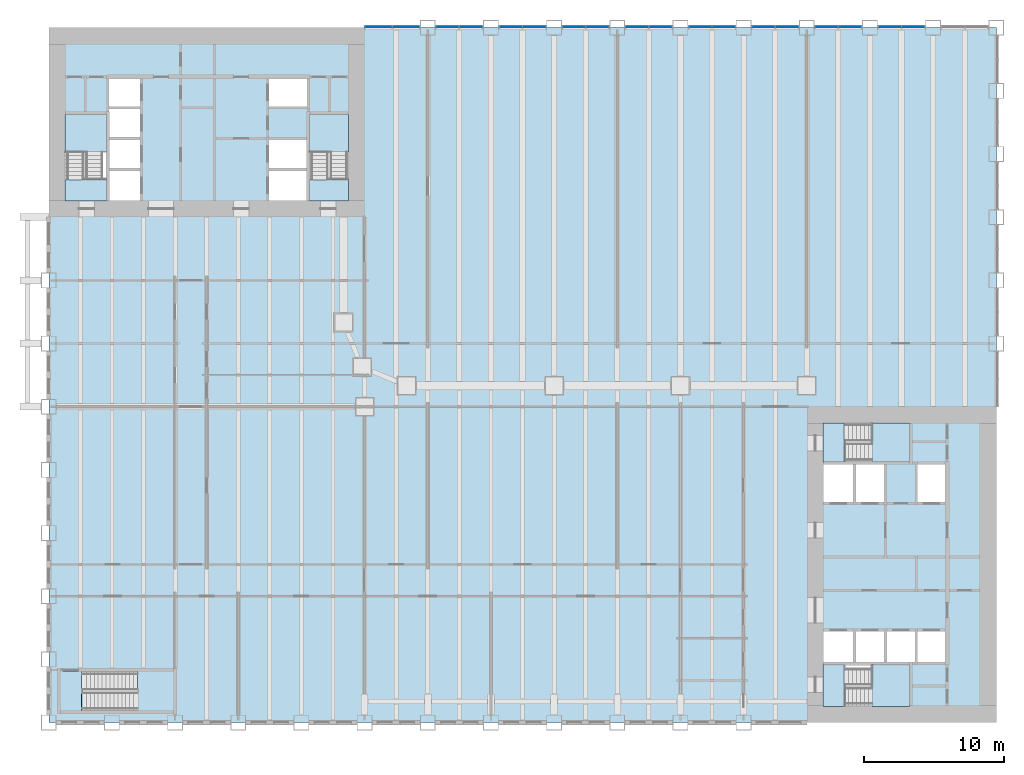
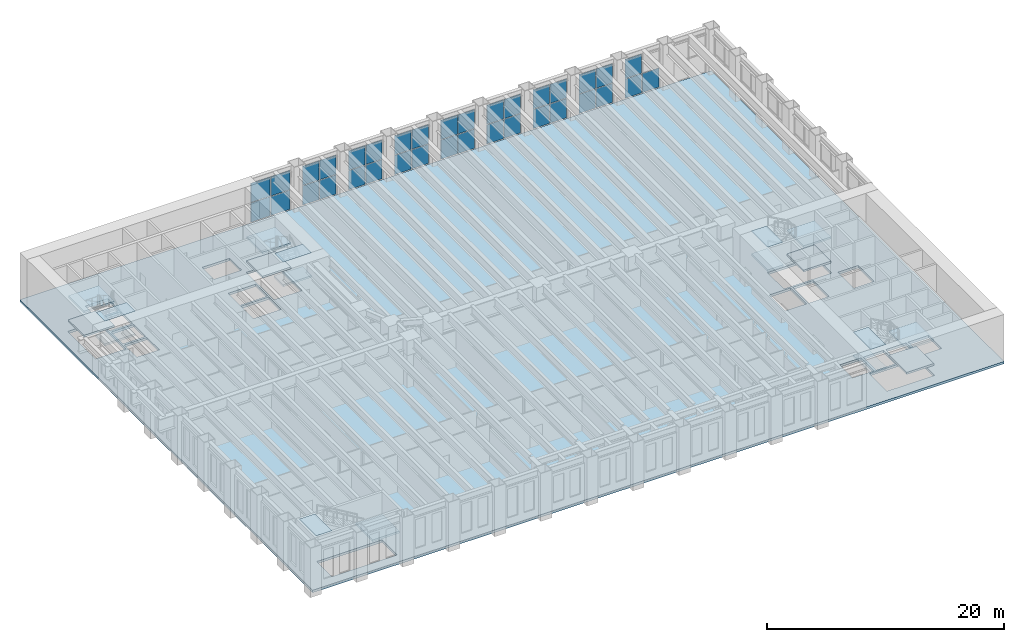
# One storey, part 8 of 21: 35 plates, 19 slabs, 14 elements without a shape of their own.
"""IFC4 building model written with IfcOpenShell, lengths in metres."""

from ifc_helpers import new_model, si_unit, direction, frame, origin, origin_2d, place, context, subcontext, project, spatial, polyline, rectangle, outline, extrude, material, layer, layer_set, type_object, element, aggregate, save


model = new_model("IFC4")

# Units and contexts
model_context = context("Model", 3, precision=1e-05, world=origin(), true_north=direction((0.0, 1.0)))
body_context = subcontext(model_context, "Body", "Model", "MODEL_VIEW")
ifc_project = project(units=[si_unit("LENGTHUNIT", "METRE"), si_unit("AREAUNIT", "SQUARE_METRE"), si_unit("VOLUMEUNIT", "CUBIC_METRE"), si_unit("PLANEANGLEUNIT", "RADIAN"), si_unit("MASSUNIT", "GRAM", prefix="KILO")], contexts=[model_context])

# Site, building, storey
site_placement = place(None, origin())
site = spatial("IfcSite", under=ifc_project, at=site_placement, CompositionType="ELEMENT")
building_placement = place(site_placement, origin())
building = spatial("IfcBuilding", under=site, at=building_placement, Name="Sennacour Bend Tower", CompositionType="ELEMENT")
storey_placement = place(building_placement, frame((0.0, 0.0, 24.0)))
storey = spatial("IfcBuildingStorey", under=building, at=storey_placement, Name="L04", CompositionType="ELEMENT", Elevation=24.0)

# Slab
ifc_material_1 = material(Name="Concrete C30/37", Category="concrete")
ifc_layer_1 = layer(ifc_material_1, 0.25, Name="Concrete C30/37", Category="concrete")
ifc_layer_set_1 = layer_set([ifc_layer_1], Name="Concrete C30/37")
slab_type_1 = type_object("IfcSlabType", Name="Floor slab 250", PredefinedType="FLOOR", material=ifc_layer_set_1)
slab_1_placement = place(storey_placement, frame((0.0, 0.0, -0.25)))
element("IfcSlab", 1, at=slab_1_placement, inside=storey, type_object=slab_type_1, Name="Floor slab L04-01", PredefinedType="FLOOR", context=body_context, shape_type="SweptSolid", body=[
    extrude(outline(polyline([(0.0, 0.0), (0.0, 49.5), (67.5, 49.5), (67.5, 0.0), (0.0, 0.0)]), holes=[polyline([(8.800048828125, 0.949951171875), (8.800048828125, 3.5), (2.429931640625, 3.5), (2.429931640625, 0.949951171875), (8.800048828125, 0.949951171875)]), polyline([(6.5, 37.199951171875), (6.5, 39.300048828125), (4.300048828125, 39.300048828125), (4.300048828125, 37.199951171875), (6.5, 37.199951171875)]), polyline([(18.39990234375, 37.199951171875), (18.39990234375, 39.300048828125), (15.699951171875, 39.300048828125), (15.699951171875, 37.199951171875), (18.39990234375, 37.199951171875)]), polyline([(6.5, 39.5), (6.5, 41.5), (4.300048828125, 41.5), (4.300048828125, 39.5), (6.5, 39.5)]), polyline([(18.39990234375, 39.5), (18.39990234375, 41.5), (15.699951171875, 41.5), (15.699951171875, 39.5), (18.39990234375, 39.5)]), polyline([(4.125, 38.72998046875), (4.125, 43.39990234375), (1.14990234375, 43.39990234375), (1.14990234375, 38.72998046875), (4.125, 38.72998046875)]), polyline([(21.35009765625, 38.72998046875), (21.35009765625, 43.39990234375), (18.574951171875, 43.39990234375), (18.574951171875, 38.72998046875), (21.35009765625, 38.72998046875)]), polyline([(4.300048828125, 41.699951171875), (6.5, 41.699951171875), (6.5, 43.699951171875), (4.300048828125, 43.699951171875), (4.300048828125, 41.699951171875)]), polyline([(4.300048828125, 43.89990234375), (6.5, 43.89990234375), (6.5, 45.89990234375), (4.300048828125, 45.89990234375), (4.300048828125, 43.89990234375)]), polyline([(18.39990234375, 43.89990234375), (18.39990234375, 45.89990234375), (15.699951171875, 45.89990234375), (15.699951171875, 43.89990234375), (18.39990234375, 43.89990234375)]), polyline([(61.39990234375, 1.14990234375), (61.39990234375, 4.125), (56.72998046875, 4.125), (56.72998046875, 1.14990234375), (61.39990234375, 1.14990234375)]), polyline([(57.300048828125, 4.300048828125), (57.300048828125, 6.5), (55.199951171875, 6.5), (55.199951171875, 4.300048828125), (57.300048828125, 4.300048828125)]), polyline([(57.5, 4.300048828125), (59.5, 4.300048828125), (59.5, 6.5), (57.5, 6.5), (57.5, 4.300048828125)]), polyline([(59.699951171875, 4.300048828125), (61.699951171875, 4.300048828125), (61.699951171875, 6.5), (59.699951171875, 6.5), (59.699951171875, 4.300048828125)]), polyline([(63.89990234375, 4.300048828125), (63.89990234375, 6.5), (61.89990234375, 6.5), (61.89990234375, 4.300048828125), (63.89990234375, 4.300048828125)]), polyline([(57.300048828125, 15.699951171875), (57.300048828125, 18.39990234375), (55.199951171875, 18.39990234375), (55.199951171875, 15.699951171875), (57.300048828125, 15.699951171875)]), polyline([(59.5, 15.699951171875), (59.5, 18.39990234375), (57.5, 18.39990234375), (57.5, 15.699951171875), (59.5, 15.699951171875)]), polyline([(61.89990234375, 15.699951171875), (63.89990234375, 15.699951171875), (63.89990234375, 18.39990234375), (61.89990234375, 18.39990234375), (61.89990234375, 15.699951171875)]), polyline([(56.72998046875, 18.574951171875), (61.39990234375, 18.574951171875), (61.39990234375, 21.35009765625), (56.72998046875, 21.35009765625), (56.72998046875, 18.574951171875)])]), origin(), (0.0, 0.0, 1.0), 0.25),
])

# Curtain wall, plates
ifc_material_2 = material(Name="Bronze anodised aluminium curtain wall with clear glass", Category="aluminium")
curtain_wall_type = type_object("IfcCurtainWallType", Name="CURTAIN WALL NOTCH", PredefinedType="NOTDEFINED", material=ifc_material_2)
curtain_wall_1_placement = place(storey_placement, origin())
curtain_wall_1 = element("IfcCurtainWall", 2, at=curtain_wall_1_placement, inside=storey, type_object=curtain_wall_type, Name="Podium glass wall L04", PredefinedType="NOTDEFINED")
ifc_material_3 = material(Name="Clear low-emissivity glass", Category="glass")
ifc_layer_2 = layer(ifc_material_3, 0.031982421875, Name="Clear low-emissivity glass", Category="glass")
ifc_layer_set_2 = layer_set([ifc_layer_2], Name="Clear low-emissivity glass")
plate_type = type_object("IfcPlateType", Name="PNL-GLASS-IGU32", PredefinedType="CURTAIN_PANEL", material=ifc_layer_set_2)
plate_1_placement = place(storey_placement, frame((61.5849609375, 49.550048828125, 0.06005859375), z_axis=(0.0, 0.0, 1.0), x_axis=(-1.0, 0.0, 0.0)))
plate_1 = element("IfcPlate", 3, at=plate_1_placement, type_object=plate_type, Name="GW2 curtain wall panel 1.1", PredefinedType="CURTAIN_PANEL", context=body_context, shape_type="SweptSolid", body=[
    extrude(rectangle(XDim=1.610107421875, YDim=0.031982421875, at=origin_2d()), origin(), (0.0, 0.0, 1.0), 1.97802734375),
])
plate_2_placement = place(storey_placement, frame((59.9150390625, 49.550048828125, 0.06005859375), z_axis=(0.0, 0.0, 1.0), x_axis=(-1.0, 0.0, 0.0)))
plate_2 = element("IfcPlate", 4, at=plate_2_placement, type_object=plate_type, Name="GW2 curtain wall panel 2.1", PredefinedType="CURTAIN_PANEL", context=body_context, shape_type="SweptSolid", body=[
    extrude(rectangle(XDim=1.610107421875, YDim=0.031982421875, at=origin_2d()), origin(), (0.0, 0.0, 1.0), 1.97802734375),
])
plate_3_placement = place(storey_placement, frame((59.9150390625, 49.550048828125, 2.097900390625), z_axis=(0.0, 0.0, 1.0), x_axis=(-1.0, 0.0, 0.0)))
plate_3 = element("IfcPlate", 5, at=plate_3_placement, type_object=plate_type, Name="GW2 curtain wall panel 2.2", PredefinedType="CURTAIN_PANEL", context=body_context, shape_type="SweptSolid", body=[
    extrude(rectangle(XDim=1.610107421875, YDim=0.031982421875, at=origin_2d()), origin(), (0.0, 0.0, 1.0), 1.97802734375),
])
aggregate(curtain_wall_1, [plate_1, plate_2, plate_3])

curtain_wall_2_placement = place(storey_placement, origin())
curtain_wall_2 = element("IfcCurtainWall", 6, at=curtain_wall_2_placement, inside=storey, type_object=curtain_wall_type, Name="Podium glass wall L04", PredefinedType="NOTDEFINED")
plate_4_placement = place(storey_placement, frame((57.0849609375, 49.550048828125, 0.06005859375), z_axis=(0.0, 0.0, 1.0), x_axis=(-1.0, 0.0, 0.0)))
plate_4 = element("IfcPlate", 7, at=plate_4_placement, type_object=plate_type, Name="GW2 curtain wall panel 1.1", PredefinedType="CURTAIN_PANEL", context=body_context, shape_type="SweptSolid", body=[
    extrude(rectangle(XDim=1.610107421875, YDim=0.031982421875, at=origin_2d()), origin(), (0.0, 0.0, 1.0), 1.97802734375),
])
plate_5_placement = place(storey_placement, frame((57.0849609375, 49.550048828125, 2.097900390625), z_axis=(0.0, 0.0, 1.0), x_axis=(-1.0, 0.0, 0.0)))
plate_5 = element("IfcPlate", 8, at=plate_5_placement, type_object=plate_type, Name="GW2 curtain wall panel 1.2", PredefinedType="CURTAIN_PANEL", context=body_context, shape_type="SweptSolid", body=[
    extrude(rectangle(XDim=1.610107421875, YDim=0.031982421875, at=origin_2d()), origin(), (0.0, 0.0, 1.0), 1.97802734375),
])
plate_6_placement = place(storey_placement, frame((55.4150390625, 49.550048828125, 0.06005859375), z_axis=(0.0, 0.0, 1.0), x_axis=(-1.0, 0.0, 0.0)))
plate_6 = element("IfcPlate", 9, at=plate_6_placement, type_object=plate_type, Name="GW2 curtain wall panel 2.1", PredefinedType="CURTAIN_PANEL", context=body_context, shape_type="SweptSolid", body=[
    extrude(rectangle(XDim=1.610107421875, YDim=0.031982421875, at=origin_2d()), origin(), (0.0, 0.0, 1.0), 1.97802734375),
])
plate_7_placement = place(storey_placement, frame((55.4150390625, 49.550048828125, 2.097900390625), z_axis=(0.0, 0.0, 1.0), x_axis=(-1.0, 0.0, 0.0)))
plate_7 = element("IfcPlate", 10, at=plate_7_placement, type_object=plate_type, Name="GW2 curtain wall panel 2.2", PredefinedType="CURTAIN_PANEL", context=body_context, shape_type="SweptSolid", body=[
    extrude(rectangle(XDim=1.610107421875, YDim=0.031982421875, at=origin_2d()), origin(), (0.0, 0.0, 1.0), 1.97802734375),
])
aggregate(curtain_wall_2, [plate_4, plate_5, plate_6, plate_7])

curtain_wall_3_placement = place(storey_placement, origin())
curtain_wall_3 = element("IfcCurtainWall", 11, at=curtain_wall_3_placement, inside=storey, type_object=curtain_wall_type, Name="Podium glass wall L04", PredefinedType="NOTDEFINED")
plate_8_placement = place(storey_placement, frame((52.5849609375, 49.550048828125, 0.06005859375), z_axis=(0.0, 0.0, 1.0), x_axis=(-1.0, 0.0, 0.0)))
plate_8 = element("IfcPlate", 12, at=plate_8_placement, type_object=plate_type, Name="GW2 curtain wall panel 1.1", PredefinedType="CURTAIN_PANEL", context=body_context, shape_type="SweptSolid", body=[
    extrude(rectangle(XDim=1.610107421875, YDim=0.031982421875, at=origin_2d()), origin(), (0.0, 0.0, 1.0), 1.97802734375),
])
plate_9_placement = place(storey_placement, frame((52.5849609375, 49.550048828125, 2.097900390625), z_axis=(0.0, 0.0, 1.0), x_axis=(-1.0, 0.0, 0.0)))
plate_9 = element("IfcPlate", 13, at=plate_9_placement, type_object=plate_type, Name="GW2 curtain wall panel 1.2", PredefinedType="CURTAIN_PANEL", context=body_context, shape_type="SweptSolid", body=[
    extrude(rectangle(XDim=1.610107421875, YDim=0.031982421875, at=origin_2d()), origin(), (0.0, 0.0, 1.0), 1.97802734375),
])
plate_10_placement = place(storey_placement, frame((50.9150390625, 49.550048828125, 0.06005859375), z_axis=(0.0, 0.0, 1.0), x_axis=(-1.0, 0.0, 0.0)))
plate_10 = element("IfcPlate", 14, at=plate_10_placement, type_object=plate_type, Name="GW2 curtain wall panel 2.1", PredefinedType="CURTAIN_PANEL", context=body_context, shape_type="SweptSolid", body=[
    extrude(rectangle(XDim=1.610107421875, YDim=0.031982421875, at=origin_2d()), origin(), (0.0, 0.0, 1.0), 1.97802734375),
])
plate_11_placement = place(storey_placement, frame((50.9150390625, 49.550048828125, 2.097900390625), z_axis=(0.0, 0.0, 1.0), x_axis=(-1.0, 0.0, 0.0)))
plate_11 = element("IfcPlate", 15, at=plate_11_placement, type_object=plate_type, Name="GW2 curtain wall panel 2.2", PredefinedType="CURTAIN_PANEL", context=body_context, shape_type="SweptSolid", body=[
    extrude(rectangle(XDim=1.610107421875, YDim=0.031982421875, at=origin_2d()), origin(), (0.0, 0.0, 1.0), 1.97802734375),
])
aggregate(curtain_wall_3, [plate_8, plate_9, plate_10, plate_11])

curtain_wall_4_placement = place(storey_placement, origin())
curtain_wall_4 = element("IfcCurtainWall", 16, at=curtain_wall_4_placement, inside=storey, type_object=curtain_wall_type, Name="Podium glass wall L04", PredefinedType="NOTDEFINED")
plate_12_placement = place(storey_placement, frame((48.0849609375, 49.550048828125, 0.06005859375), z_axis=(0.0, 0.0, 1.0), x_axis=(-1.0, 0.0, 0.0)))
plate_12 = element("IfcPlate", 17, at=plate_12_placement, type_object=plate_type, Name="GW2 curtain wall panel 1.1", PredefinedType="CURTAIN_PANEL", context=body_context, shape_type="SweptSolid", body=[
    extrude(rectangle(XDim=1.610107421875, YDim=0.031982421875, at=origin_2d()), origin(), (0.0, 0.0, 1.0), 1.97802734375),
])
plate_13_placement = place(storey_placement, frame((48.0849609375, 49.550048828125, 2.097900390625), z_axis=(0.0, 0.0, 1.0), x_axis=(-1.0, 0.0, 0.0)))
plate_13 = element("IfcPlate", 18, at=plate_13_placement, type_object=plate_type, Name="GW2 curtain wall panel 1.2", PredefinedType="CURTAIN_PANEL", context=body_context, shape_type="SweptSolid", body=[
    extrude(rectangle(XDim=1.610107421875, YDim=0.031982421875, at=origin_2d()), origin(), (0.0, 0.0, 1.0), 1.97802734375),
])
plate_14_placement = place(storey_placement, frame((46.4150390625, 49.550048828125, 0.06005859375), z_axis=(0.0, 0.0, 1.0), x_axis=(-1.0, 0.0, 0.0)))
plate_14 = element("IfcPlate", 19, at=plate_14_placement, type_object=plate_type, Name="GW2 curtain wall panel 2.1", PredefinedType="CURTAIN_PANEL", context=body_context, shape_type="SweptSolid", body=[
    extrude(rectangle(XDim=1.610107421875, YDim=0.031982421875, at=origin_2d()), origin(), (0.0, 0.0, 1.0), 1.97802734375),
])
plate_15_placement = place(storey_placement, frame((46.4150390625, 49.550048828125, 2.097900390625), z_axis=(0.0, 0.0, 1.0), x_axis=(-1.0, 0.0, 0.0)))
plate_15 = element("IfcPlate", 20, at=plate_15_placement, type_object=plate_type, Name="GW2 curtain wall panel 2.2", PredefinedType="CURTAIN_PANEL", context=body_context, shape_type="SweptSolid", body=[
    extrude(rectangle(XDim=1.610107421875, YDim=0.031982421875, at=origin_2d()), origin(), (0.0, 0.0, 1.0), 1.97802734375),
])
aggregate(curtain_wall_4, [plate_12, plate_13, plate_14, plate_15])

curtain_wall_5_placement = place(storey_placement, origin())
curtain_wall_5 = element("IfcCurtainWall", 21, at=curtain_wall_5_placement, inside=storey, type_object=curtain_wall_type, Name="Podium glass wall L04", PredefinedType="NOTDEFINED")
plate_16_placement = place(storey_placement, frame((43.5849609375, 49.550048828125, 0.06005859375), z_axis=(0.0, 0.0, 1.0), x_axis=(-1.0, 0.0, 0.0)))
plate_16 = element("IfcPlate", 22, at=plate_16_placement, type_object=plate_type, Name="GW2 curtain wall panel 1.1", PredefinedType="CURTAIN_PANEL", context=body_context, shape_type="SweptSolid", body=[
    extrude(rectangle(XDim=1.610107421875, YDim=0.031982421875, at=origin_2d()), origin(), (0.0, 0.0, 1.0), 1.97802734375),
])
plate_17_placement = place(storey_placement, frame((43.5849609375, 49.550048828125, 2.097900390625), z_axis=(0.0, 0.0, 1.0), x_axis=(-1.0, 0.0, 0.0)))
plate_17 = element("IfcPlate", 23, at=plate_17_placement, type_object=plate_type, Name="GW2 curtain wall panel 1.2", PredefinedType="CURTAIN_PANEL", context=body_context, shape_type="SweptSolid", body=[
    extrude(rectangle(XDim=1.610107421875, YDim=0.031982421875, at=origin_2d()), origin(), (0.0, 0.0, 1.0), 1.97802734375),
])
plate_18_placement = place(storey_placement, frame((41.9150390625, 49.550048828125, 0.06005859375), z_axis=(0.0, 0.0, 1.0), x_axis=(-1.0, 0.0, 0.0)))
plate_18 = element("IfcPlate", 24, at=plate_18_placement, type_object=plate_type, Name="GW2 curtain wall panel 2.1", PredefinedType="CURTAIN_PANEL", context=body_context, shape_type="SweptSolid", body=[
    extrude(rectangle(XDim=1.610107421875, YDim=0.031982421875, at=origin_2d()), origin(), (0.0, 0.0, 1.0), 1.97802734375),
])
plate_19_placement = place(storey_placement, frame((41.9150390625, 49.550048828125, 2.097900390625), z_axis=(0.0, 0.0, 1.0), x_axis=(-1.0, 0.0, 0.0)))
plate_19 = element("IfcPlate", 25, at=plate_19_placement, type_object=plate_type, Name="GW2 curtain wall panel 2.2", PredefinedType="CURTAIN_PANEL", context=body_context, shape_type="SweptSolid", body=[
    extrude(rectangle(XDim=1.610107421875, YDim=0.031982421875, at=origin_2d()), origin(), (0.0, 0.0, 1.0), 1.97802734375),
])
aggregate(curtain_wall_5, [plate_16, plate_17, plate_18, plate_19])

curtain_wall_6_placement = place(storey_placement, origin())
curtain_wall_6 = element("IfcCurtainWall", 26, at=curtain_wall_6_placement, inside=storey, type_object=curtain_wall_type, Name="Podium glass wall L04", PredefinedType="NOTDEFINED")
plate_20_placement = place(storey_placement, frame((39.0849609375, 49.550048828125, 0.06005859375), z_axis=(0.0, 0.0, 1.0), x_axis=(-1.0, 0.0, 0.0)))
plate_20 = element("IfcPlate", 27, at=plate_20_placement, type_object=plate_type, Name="GW2 curtain wall panel 1.1", PredefinedType="CURTAIN_PANEL", context=body_context, shape_type="SweptSolid", body=[
    extrude(rectangle(XDim=1.610107421875, YDim=0.031982421875, at=origin_2d()), origin(), (0.0, 0.0, 1.0), 1.97802734375),
])
plate_21_placement = place(storey_placement, frame((39.0849609375, 49.550048828125, 2.097900390625), z_axis=(0.0, 0.0, 1.0), x_axis=(-1.0, 0.0, 0.0)))
plate_21 = element("IfcPlate", 28, at=plate_21_placement, type_object=plate_type, Name="GW2 curtain wall panel 1.2", PredefinedType="CURTAIN_PANEL", context=body_context, shape_type="SweptSolid", body=[
    extrude(rectangle(XDim=1.610107421875, YDim=0.031982421875, at=origin_2d()), origin(), (0.0, 0.0, 1.0), 1.97802734375),
])
plate_22_placement = place(storey_placement, frame((37.4150390625, 49.550048828125, 0.06005859375), z_axis=(0.0, 0.0, 1.0), x_axis=(-1.0, 0.0, 0.0)))
plate_22 = element("IfcPlate", 29, at=plate_22_placement, type_object=plate_type, Name="GW2 curtain wall panel 2.1", PredefinedType="CURTAIN_PANEL", context=body_context, shape_type="SweptSolid", body=[
    extrude(rectangle(XDim=1.610107421875, YDim=0.031982421875, at=origin_2d()), origin(), (0.0, 0.0, 1.0), 1.97802734375),
])
plate_23_placement = place(storey_placement, frame((37.4150390625, 49.550048828125, 2.097900390625), z_axis=(0.0, 0.0, 1.0), x_axis=(-1.0, 0.0, 0.0)))
plate_23 = element("IfcPlate", 30, at=plate_23_placement, type_object=plate_type, Name="GW2 curtain wall panel 2.2", PredefinedType="CURTAIN_PANEL", context=body_context, shape_type="SweptSolid", body=[
    extrude(rectangle(XDim=1.610107421875, YDim=0.031982421875, at=origin_2d()), origin(), (0.0, 0.0, 1.0), 1.97802734375),
])
aggregate(curtain_wall_6, [plate_20, plate_21, plate_22, plate_23])

curtain_wall_7_placement = place(storey_placement, origin())
curtain_wall_7 = element("IfcCurtainWall", 31, at=curtain_wall_7_placement, inside=storey, type_object=curtain_wall_type, Name="Podium glass wall L04", PredefinedType="NOTDEFINED")
plate_24_placement = place(storey_placement, frame((34.5849609375, 49.550048828125, 0.06005859375), z_axis=(0.0, 0.0, 1.0), x_axis=(-1.0, 0.0, 0.0)))
plate_24 = element("IfcPlate", 32, at=plate_24_placement, type_object=plate_type, Name="GW2 curtain wall panel 1.1", PredefinedType="CURTAIN_PANEL", context=body_context, shape_type="SweptSolid", body=[
    extrude(rectangle(XDim=1.610107421875, YDim=0.031982421875, at=origin_2d()), origin(), (0.0, 0.0, 1.0), 1.97802734375),
])
plate_25_placement = place(storey_placement, frame((34.5849609375, 49.550048828125, 2.097900390625), z_axis=(0.0, 0.0, 1.0), x_axis=(-1.0, 0.0, 0.0)))
plate_25 = element("IfcPlate", 33, at=plate_25_placement, type_object=plate_type, Name="GW2 curtain wall panel 1.2", PredefinedType="CURTAIN_PANEL", context=body_context, shape_type="SweptSolid", body=[
    extrude(rectangle(XDim=1.610107421875, YDim=0.031982421875, at=origin_2d()), origin(), (0.0, 0.0, 1.0), 1.97802734375),
])
plate_26_placement = place(storey_placement, frame((32.9150390625, 49.550048828125, 0.06005859375), z_axis=(0.0, 0.0, 1.0), x_axis=(-1.0, 0.0, 0.0)))
plate_26 = element("IfcPlate", 34, at=plate_26_placement, type_object=plate_type, Name="GW2 curtain wall panel 2.1", PredefinedType="CURTAIN_PANEL", context=body_context, shape_type="SweptSolid", body=[
    extrude(rectangle(XDim=1.610107421875, YDim=0.031982421875, at=origin_2d()), origin(), (0.0, 0.0, 1.0), 1.97802734375),
])
plate_27_placement = place(storey_placement, frame((32.9150390625, 49.550048828125, 2.097900390625), z_axis=(0.0, 0.0, 1.0), x_axis=(-1.0, 0.0, 0.0)))
plate_27 = element("IfcPlate", 35, at=plate_27_placement, type_object=plate_type, Name="GW2 curtain wall panel 2.2", PredefinedType="CURTAIN_PANEL", context=body_context, shape_type="SweptSolid", body=[
    extrude(rectangle(XDim=1.610107421875, YDim=0.031982421875, at=origin_2d()), origin(), (0.0, 0.0, 1.0), 1.97802734375),
])
aggregate(curtain_wall_7, [plate_24, plate_25, plate_26, plate_27])

curtain_wall_8_placement = place(storey_placement, origin())
curtain_wall_8 = element("IfcCurtainWall", 36, at=curtain_wall_8_placement, inside=storey, type_object=curtain_wall_type, Name="Podium glass wall L04", PredefinedType="NOTDEFINED")
plate_28_placement = place(storey_placement, frame((30.0849609375, 49.550048828125, 0.06005859375), z_axis=(0.0, 0.0, 1.0), x_axis=(-1.0, 0.0, 0.0)))
plate_28 = element("IfcPlate", 37, at=plate_28_placement, type_object=plate_type, Name="GW2 curtain wall panel 1.1", PredefinedType="CURTAIN_PANEL", context=body_context, shape_type="SweptSolid", body=[
    extrude(rectangle(XDim=1.610107421875, YDim=0.031982421875, at=origin_2d()), origin(), (0.0, 0.0, 1.0), 1.97802734375),
])
plate_29_placement = place(storey_placement, frame((30.0849609375, 49.550048828125, 2.097900390625), z_axis=(0.0, 0.0, 1.0), x_axis=(-1.0, 0.0, 0.0)))
plate_29 = element("IfcPlate", 38, at=plate_29_placement, type_object=plate_type, Name="GW2 curtain wall panel 1.2", PredefinedType="CURTAIN_PANEL", context=body_context, shape_type="SweptSolid", body=[
    extrude(rectangle(XDim=1.610107421875, YDim=0.031982421875, at=origin_2d()), origin(), (0.0, 0.0, 1.0), 1.97802734375),
])
plate_30_placement = place(storey_placement, frame((28.4150390625, 49.550048828125, 0.06005859375), z_axis=(0.0, 0.0, 1.0), x_axis=(-1.0, 0.0, 0.0)))
plate_30 = element("IfcPlate", 39, at=plate_30_placement, type_object=plate_type, Name="GW2 curtain wall panel 2.1", PredefinedType="CURTAIN_PANEL", context=body_context, shape_type="SweptSolid", body=[
    extrude(rectangle(XDim=1.610107421875, YDim=0.031982421875, at=origin_2d()), origin(), (0.0, 0.0, 1.0), 1.97802734375),
])
plate_31_placement = place(storey_placement, frame((28.4150390625, 49.550048828125, 2.097900390625), z_axis=(0.0, 0.0, 1.0), x_axis=(-1.0, 0.0, 0.0)))
plate_31 = element("IfcPlate", 40, at=plate_31_placement, type_object=plate_type, Name="GW2 curtain wall panel 2.2", PredefinedType="CURTAIN_PANEL", context=body_context, shape_type="SweptSolid", body=[
    extrude(rectangle(XDim=1.610107421875, YDim=0.031982421875, at=origin_2d()), origin(), (0.0, 0.0, 1.0), 1.97802734375),
])
aggregate(curtain_wall_8, [plate_28, plate_29, plate_30, plate_31])

curtain_wall_9_placement = place(storey_placement, origin())
curtain_wall_9 = element("IfcCurtainWall", 41, at=curtain_wall_9_placement, inside=storey, type_object=curtain_wall_type, Name="Podium glass wall L04", PredefinedType="NOTDEFINED")
plate_32_placement = place(storey_placement, frame((25.44775390625, 49.550048828125, 0.06005859375), z_axis=(0.0, 0.0, 1.0), x_axis=(-1.0, 0.0, 0.0)))
plate_32 = element("IfcPlate", 42, at=plate_32_placement, type_object=plate_type, Name="GW2 curtain wall panel 1.1", PredefinedType="CURTAIN_PANEL", context=body_context, shape_type="SweptSolid", body=[
    extrude(rectangle(XDim=1.884521484375, YDim=0.031982421875, at=origin_2d()), origin(), (0.0, 0.0, 1.0), 1.97802734375),
])
plate_33_placement = place(storey_placement, frame((25.44775390625, 49.550048828125, 2.097900390625), z_axis=(0.0, 0.0, 1.0), x_axis=(-1.0, 0.0, 0.0)))
plate_33 = element("IfcPlate", 43, at=plate_33_placement, type_object=plate_type, Name="GW2 curtain wall panel 1.2", PredefinedType="CURTAIN_PANEL", context=body_context, shape_type="SweptSolid", body=[
    extrude(rectangle(XDim=1.884521484375, YDim=0.031982421875, at=origin_2d()), origin(), (0.0, 0.0, 1.0), 1.97802734375),
])
plate_34_placement = place(storey_placement, frame((23.503173828125, 49.550048828125, 0.06005859375), z_axis=(0.0, 0.0, 1.0), x_axis=(-1.0, 0.0, 0.0)))
plate_34 = element("IfcPlate", 44, at=plate_34_placement, type_object=plate_type, Name="GW2 curtain wall panel 2.1", PredefinedType="CURTAIN_PANEL", context=body_context, shape_type="SweptSolid", body=[
    extrude(rectangle(XDim=1.884521484375, YDim=0.031982421875, at=origin_2d()), origin(), (0.0, 0.0, 1.0), 1.97802734375),
])
plate_35_placement = place(storey_placement, frame((23.503173828125, 49.550048828125, 2.097900390625), z_axis=(0.0, 0.0, 1.0), x_axis=(-1.0, 0.0, 0.0)))
plate_35 = element("IfcPlate", 45, at=plate_35_placement, type_object=plate_type, Name="GW2 curtain wall panel 2.2", PredefinedType="CURTAIN_PANEL", context=body_context, shape_type="SweptSolid", body=[
    extrude(rectangle(XDim=1.884521484375, YDim=0.031982421875, at=origin_2d()), origin(), (0.0, 0.0, 1.0), 1.97802734375),
])
aggregate(curtain_wall_9, [plate_32, plate_33, plate_34, plate_35])

# Slabs
ifc_material_4 = material(Name="Concrete C40/50", Category="concrete")
ifc_layer_3 = layer(ifc_material_4, 0.034912109375, Name="Concrete C40/50", Category="concrete")
ifc_layer_set_3 = layer_set([ifc_layer_3], Name="Concrete C40/50")
slab_type_2 = type_object("IfcSlabType", Name="Stair arrival nib 35", PredefinedType="FLOOR", material=ifc_layer_set_3)
slab_2_placement = place(storey_placement, frame((0.0, 0.0, 4.815185546875)))
element("IfcSlab", 46, at=slab_2_placement, inside=storey, type_object=slab_type_2, Name="L04 SA1 stair arrival nib", PredefinedType="FLOOR", context=body_context, shape_type="SweptSolid", body=[
    extrude(outline(polyline([(56.64208984375, 4.125), (55.14990234375, 4.125), (55.14990234375, 1.14990234375), (56.64208984375, 1.14990234375), (56.64208984375, 4.125)])), origin(), (0.0, 0.0, 1.0), 0.034912109375),
])
slab_3_placement = place(storey_placement, frame((0.0, 0.0, 4.815185546875)))
element("IfcSlab", 47, at=slab_3_placement, inside=storey, type_object=slab_type_2, Name="L04 SA2 stair arrival nib", PredefinedType="FLOOR", context=body_context, shape_type="SweptSolid", body=[
    extrude(outline(polyline([(56.64208984375, 21.35009765625), (55.14990234375, 21.35009765625), (55.14990234375, 18.574951171875), (56.64208984375, 18.574951171875), (56.64208984375, 21.35009765625)])), origin(), (0.0, 0.0, 1.0), 0.034912109375),
])
slab_4_placement = place(storey_placement, frame((0.0, 0.0, 4.815185546875)))
element("IfcSlab", 48, at=slab_4_placement, inside=storey, type_object=slab_type_2, Name="L04 SB1 stair arrival nib", PredefinedType="FLOOR", context=body_context, shape_type="SweptSolid", body=[
    extrude(outline(polyline([(1.14990234375, 38.64208984375), (1.14990234375, 37.14990234375), (4.125, 37.14990234375), (4.125, 38.64208984375), (1.14990234375, 38.64208984375)])), origin(), (0.0, 0.0, 1.0), 0.034912109375),
])
slab_5_placement = place(storey_placement, frame((0.0, 0.0, 4.815185546875)))
element("IfcSlab", 49, at=slab_5_placement, inside=storey, type_object=slab_type_2, Name="L04 SB2 stair arrival nib", PredefinedType="FLOOR", context=body_context, shape_type="SweptSolid", body=[
    extrude(outline(polyline([(18.574951171875, 38.64208984375), (18.574951171875, 37.14990234375), (21.35009765625, 37.14990234375), (21.35009765625, 38.64208984375), (18.574951171875, 38.64208984375)])), origin(), (0.0, 0.0, 1.0), 0.034912109375),
])
slab_6_placement = place(storey_placement, frame((0.0, 0.0, 4.815185546875)))
element("IfcSlab", 50, at=slab_6_placement, inside=storey, type_object=slab_type_2, Name="L04 SK1 stair arrival nib", PredefinedType="FLOOR", context=body_context, shape_type="SweptSolid", body=[
    extrude(outline(polyline([(2.342041015625, 3.675048828125), (0.800048828125, 3.675048828125), (0.800048828125, 0.800048828125), (2.342041015625, 0.800048828125), (2.342041015625, 3.675048828125)])), origin(), (0.0, 0.0, 1.0), 0.034912109375),
])

# Stair, slabs
stair_type = type_object("IfcStairType", Name="ST-DOGLEG", PredefinedType="HALF_TURN_STAIR", material=ifc_material_4)
stair_1_placement = place(storey_placement, origin())
stair_1 = element("IfcStair", 51, at=stair_1_placement, inside=storey, type_object=stair_type, Name="L04 Exit stair A1", PredefinedType="HALF_TURN_STAIR")
ifc_layer_4 = layer(ifc_material_4, 0.199951171875, Name="Concrete C40/50", Category="concrete")
ifc_layer_set_4 = layer_set([ifc_layer_4], Name="Concrete C40/50")
slab_type_3 = type_object("IfcSlabType", Name="Stair landing 200", PredefinedType="LANDING", material=ifc_layer_set_4)
slab_7_placement = place(storey_placement, frame((0.0, 0.0, 1.050048828125)))
slab_7 = element("IfcSlab", 52, at=slab_7_placement, type_object=slab_type_3, Name="SA1 landing 1", PredefinedType="LANDING", context=body_context, shape_type="SweptSolid", body=[
    extrude(outline(polyline([(58.659912109375, 1.14990234375), (61.324951171875, 1.14990234375), (61.324951171875, 4.125), (58.659912109375, 4.125), (58.659912109375, 1.14990234375)])), origin(), (0.0, 0.0, 1.0), 0.199951171875),
])
slab_8_placement = place(storey_placement, frame((0.0, 0.0, 2.300048828125)))
slab_8 = element("IfcSlab", 53, at=slab_8_placement, type_object=slab_type_3, Name="SA1 landing 2", PredefinedType="LANDING", context=body_context, shape_type="SweptSolid", body=[
    extrude(outline(polyline([(55.14990234375, 1.14990234375), (56.699951171875, 1.14990234375), (56.699951171875, 4.125), (55.14990234375, 4.125), (55.14990234375, 1.14990234375)])), origin(), (0.0, 0.0, 1.0), 0.199951171875),
])
slab_9_placement = place(storey_placement, frame((0.0, 0.0, 3.550048828125)))
slab_9 = element("IfcSlab", 54, at=slab_9_placement, type_object=slab_type_3, Name="SA1 landing 3", PredefinedType="LANDING", context=body_context, shape_type="SweptSolid", body=[
    extrude(outline(polyline([(58.659912109375, 1.14990234375), (61.324951171875, 1.14990234375), (61.324951171875, 4.125), (58.659912109375, 4.125), (58.659912109375, 1.14990234375)])), origin(), (0.0, 0.0, 1.0), 0.199951171875),
])
aggregate(stair_1, [slab_7, slab_8, slab_9])

stair_2_placement = place(storey_placement, origin())
stair_2 = element("IfcStair", 55, at=stair_2_placement, inside=storey, type_object=stair_type, Name="L04 Exit stair A2", PredefinedType="HALF_TURN_STAIR")
slab_10_placement = place(storey_placement, frame((0.0, 0.0, 1.050048828125)))
slab_10 = element("IfcSlab", 56, at=slab_10_placement, type_object=slab_type_3, Name="SA2 landing 1", PredefinedType="LANDING", context=body_context, shape_type="SweptSolid", body=[
    extrude(outline(polyline([(58.659912109375, 18.574951171875), (61.324951171875, 18.574951171875), (61.324951171875, 21.35009765625), (58.659912109375, 21.35009765625), (58.659912109375, 18.574951171875)])), origin(), (0.0, 0.0, 1.0), 0.199951171875),
])
slab_11_placement = place(storey_placement, frame((0.0, 0.0, 2.300048828125)))
slab_11 = element("IfcSlab", 57, at=slab_11_placement, type_object=slab_type_3, Name="SA2 landing 2", PredefinedType="LANDING", context=body_context, shape_type="SweptSolid", body=[
    extrude(outline(polyline([(55.14990234375, 18.574951171875), (56.699951171875, 18.574951171875), (56.699951171875, 21.35009765625), (55.14990234375, 21.35009765625), (55.14990234375, 18.574951171875)])), origin(), (0.0, 0.0, 1.0), 0.199951171875),
])
slab_12_placement = place(storey_placement, frame((0.0, 0.0, 3.550048828125)))
slab_12 = element("IfcSlab", 58, at=slab_12_placement, type_object=slab_type_3, Name="SA2 landing 3", PredefinedType="LANDING", context=body_context, shape_type="SweptSolid", body=[
    extrude(outline(polyline([(58.659912109375, 18.574951171875), (61.324951171875, 18.574951171875), (61.324951171875, 21.35009765625), (58.659912109375, 21.35009765625), (58.659912109375, 18.574951171875)])), origin(), (0.0, 0.0, 1.0), 0.199951171875),
])
aggregate(stair_2, [slab_10, slab_11, slab_12])

stair_3_placement = place(storey_placement, origin())
stair_3 = element("IfcStair", 59, at=stair_3_placement, inside=storey, type_object=stair_type, Name="L04 Exit stair B1", PredefinedType="HALF_TURN_STAIR")
slab_13_placement = place(storey_placement, frame((0.0, 0.0, 1.050048828125)))
slab_13 = element("IfcSlab", 60, at=slab_13_placement, type_object=slab_type_3, Name="SB1 landing 1", PredefinedType="LANDING", context=body_context, shape_type="SweptSolid", body=[
    extrude(outline(polyline([(1.14990234375, 40.659912109375), (4.125, 40.659912109375), (4.125, 43.324951171875), (1.14990234375, 43.324951171875), (1.14990234375, 40.659912109375)])), origin(), (0.0, 0.0, 1.0), 0.199951171875),
])
slab_14_placement = place(storey_placement, frame((0.0, 0.0, 2.300048828125)))
slab_14 = element("IfcSlab", 61, at=slab_14_placement, type_object=slab_type_3, Name="SB1 landing 2", PredefinedType="LANDING", context=body_context, shape_type="SweptSolid", body=[
    extrude(outline(polyline([(1.14990234375, 37.14990234375), (4.125, 37.14990234375), (4.125, 38.699951171875), (1.14990234375, 38.699951171875), (1.14990234375, 37.14990234375)])), origin(), (0.0, 0.0, 1.0), 0.199951171875),
])
slab_15_placement = place(storey_placement, frame((0.0, 0.0, 3.550048828125)))
slab_15 = element("IfcSlab", 62, at=slab_15_placement, type_object=slab_type_3, Name="SB1 landing 3", PredefinedType="LANDING", context=body_context, shape_type="SweptSolid", body=[
    extrude(outline(polyline([(1.14990234375, 40.659912109375), (4.125, 40.659912109375), (4.125, 43.324951171875), (1.14990234375, 43.324951171875), (1.14990234375, 40.659912109375)])), origin(), (0.0, 0.0, 1.0), 0.199951171875),
])
aggregate(stair_3, [slab_13, slab_14, slab_15])

stair_4_placement = place(storey_placement, origin())
stair_4 = element("IfcStair", 63, at=stair_4_placement, inside=storey, type_object=stair_type, Name="L04 Exit stair B2", PredefinedType="HALF_TURN_STAIR")
slab_16_placement = place(storey_placement, frame((0.0, 0.0, 1.050048828125)))
slab_16 = element("IfcSlab", 64, at=slab_16_placement, type_object=slab_type_3, Name="SB2 landing 1", PredefinedType="LANDING", context=body_context, shape_type="SweptSolid", body=[
    extrude(outline(polyline([(18.574951171875, 40.659912109375), (21.35009765625, 40.659912109375), (21.35009765625, 43.324951171875), (18.574951171875, 43.324951171875), (18.574951171875, 40.659912109375)])), origin(), (0.0, 0.0, 1.0), 0.199951171875),
])
slab_17_placement = place(storey_placement, frame((0.0, 0.0, 2.300048828125)))
slab_17 = element("IfcSlab", 65, at=slab_17_placement, type_object=slab_type_3, Name="SB2 landing 2", PredefinedType="LANDING", context=body_context, shape_type="SweptSolid", body=[
    extrude(outline(polyline([(18.574951171875, 37.14990234375), (21.35009765625, 37.14990234375), (21.35009765625, 38.699951171875), (18.574951171875, 38.699951171875), (18.574951171875, 37.14990234375)])), origin(), (0.0, 0.0, 1.0), 0.199951171875),
])
slab_18_placement = place(storey_placement, frame((0.0, 0.0, 3.550048828125)))
slab_18 = element("IfcSlab", 66, at=slab_18_placement, type_object=slab_type_3, Name="SB2 landing 3", PredefinedType="LANDING", context=body_context, shape_type="SweptSolid", body=[
    extrude(outline(polyline([(18.574951171875, 40.659912109375), (21.35009765625, 40.659912109375), (21.35009765625, 43.324951171875), (18.574951171875, 43.324951171875), (18.574951171875, 40.659912109375)])), origin(), (0.0, 0.0, 1.0), 0.199951171875),
])
aggregate(stair_4, [slab_16, slab_17, slab_18])

# Stair, slab
stair_5_placement = place(storey_placement, origin())
stair_5 = element("IfcStair", 67, at=stair_5_placement, inside=storey, type_object=stair_type, Name="L04 Exit stair K1", PredefinedType="HALF_TURN_STAIR")
slab_19_placement = place(storey_placement, frame((0.0, 0.0, 2.300048828125)))
slab_19 = element("IfcSlab", 68, at=slab_19_placement, type_object=slab_type_3, Name="SK1 landing 1", PredefinedType="LANDING", context=body_context, shape_type="SweptSolid", body=[
    extrude(outline(polyline([(6.320068359375, 0.800048828125), (8.925048828125, 0.800048828125), (8.925048828125, 3.675048828125), (6.320068359375, 3.675048828125), (6.320068359375, 0.800048828125)])), origin(), (0.0, 0.0, 1.0), 0.199951171875),
])
aggregate(stair_5, [slab_19])

save(model, "model.ifc")
